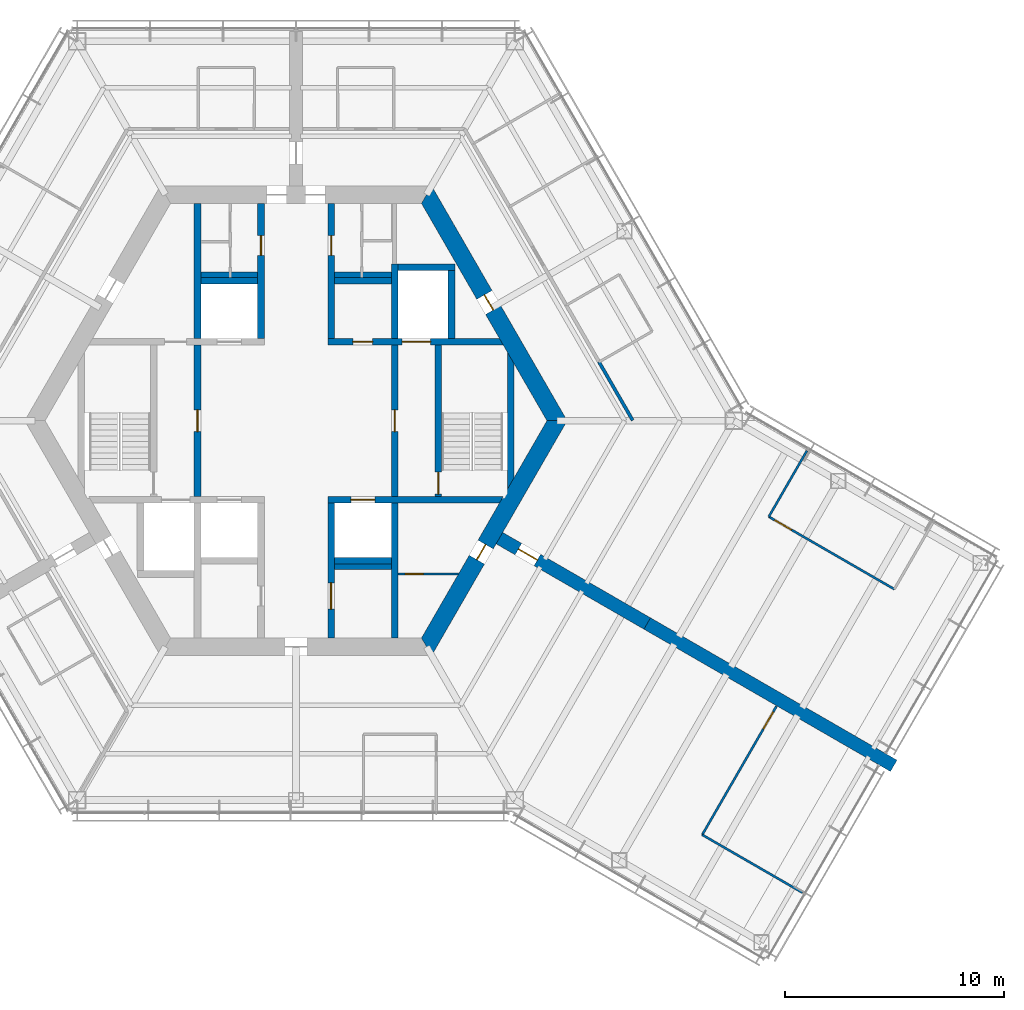
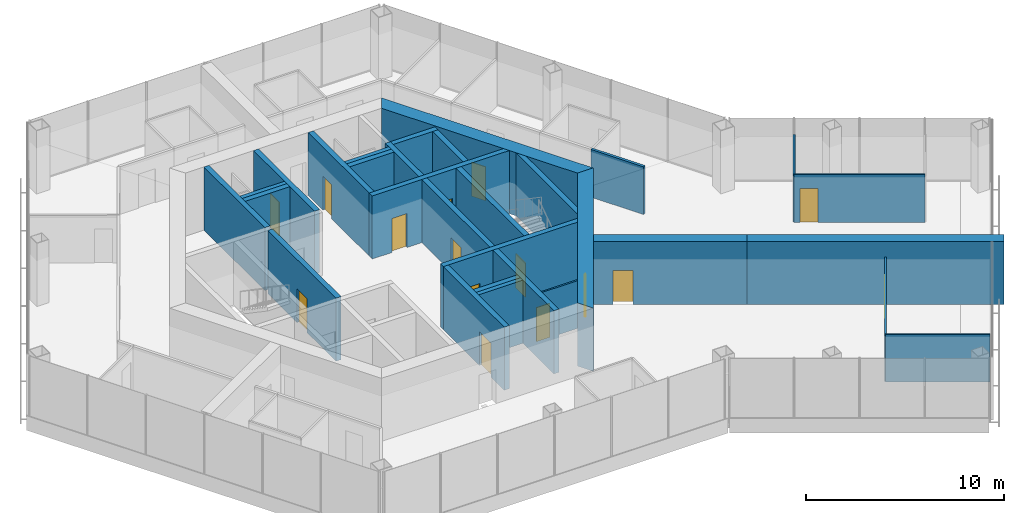
# One storey, part 11 of 15: 30 walls, 15 doors, 15 openings.
"""IFC4 building model written with IfcOpenShell, lengths in metres."""

from ifc_helpers import new_model, si_unit, direction, frame, frame_2d, origin, place, context, subcontext, project, spatial, polyline, rectangle, outline, extrude, material, layer, layer_set, type_object, element, fill, save


model = new_model("IFC4")

# Units and contexts
model_context = context("Model", 3, precision=1e-05, world=origin(), true_north=direction((0.0, 1.0)))
body_context = subcontext(model_context, "Body", "Model", "MODEL_VIEW")
ifc_project = project(units=[si_unit("LENGTHUNIT", "METRE"), si_unit("AREAUNIT", "SQUARE_METRE"), si_unit("VOLUMEUNIT", "CUBIC_METRE"), si_unit("PLANEANGLEUNIT", "RADIAN"), si_unit("MASSUNIT", "GRAM", prefix="KILO")], contexts=[model_context])

# Site, building, storey
site_placement = place(None, origin())
site = spatial("IfcSite", under=ifc_project, at=site_placement, CompositionType="ELEMENT")
building_placement = place(site_placement, origin())
building = spatial("IfcBuilding", under=site, at=building_placement, Name="Kasaneha Research Tower", CompositionType="ELEMENT")
storey_placement = place(building_placement, frame((0.0, 0.0, 236.199951171875)))
storey = spatial("IfcBuildingStorey", under=building, at=storey_placement, Name="L59", CompositionType="ELEMENT", Elevation=236.199951171875)

# Wall, openings, doors
ifc_material_1 = material(Name="Concrete Fc60", Category="concrete")
ifc_layer_1 = layer(ifc_material_1, 0.300048828125)
ifc_layer_set_1 = layer_set([ifc_layer_1], Name="Core internal wall 300 Fc60")
wall_type_1 = type_object("IfcWallType", Name="Core internal wall 300 Fc60", PredefinedType="SHEAR", material=ifc_layer_set_1)
wall_1_placement = place(storey_placement, frame((1.449951171875, 3.60009765625, 0.0), z_axis=(0.0, 0.0, 1.0), x_axis=(1.0, 0.0, 0.0)))
wall_1 = element("IfcWall", 1, at=wall_1_placement, inside=storey, type_object=wall_type_1, Name="Core wall W1E L59", PredefinedType="SHEAR", context=body_context, shape_type="SweptSolid", body=[
    extrude(outline(polyline([(0.0, -0.14990234375), (1.14990234375, -0.14990234375), (2.0498046875, -0.14990234375), (3.39990234375, -0.14990234375), (4.699951171875, -0.14990234375), (8.0185546875, -0.14990234375), (7.84521484375, 0.14990234375), (4.699951171875, 0.14990234375), (3.39990234375, 0.14990234375), (2.0498046875, 0.14990234375), (1.14990234375, 0.14990234375), (0.0, 0.14990234375), (0.0, -0.14990234375)])), origin(), (0.0, 0.0, 1.0), 3.900146484375),
])
opening_1_placement = place(wall_1_placement, frame((1.14990234375, 0.0, 0.0)))
opening_1 = element("IfcOpeningElement", 2, at=opening_1_placement, cuts=wall_1, Name="Opening L59-D17", PredefinedType="OPENING", context=body_context, shape_type="SweptSolid", body=[
    extrude(rectangle(XDim=0.89990234375, YDim=2.10009765625, at=frame_2d((0.449951171875, 1.050048828125))), frame((0.0, 0.16015625, 0.0), z_axis=(0.0, -1.0, 0.0), x_axis=(1.0, 0.0, 0.0)), (0.0, 0.0, 1.0), 0.320068359375),
])
opening_2_placement = place(wall_1_placement, frame((3.39990234375, 0.0, 0.0)))
opening_2 = element("IfcOpeningElement", 3, at=opening_2_placement, cuts=wall_1, Name="Opening LD-FL1-L59", PredefinedType="OPENING", context=body_context, shape_type="SweptSolid", body=[
    extrude(rectangle(XDim=1.300048828125, YDim=2.10009765625, at=frame_2d((0.64990234375, 1.050048828125))), frame((0.0, 0.16015625, 0.0), z_axis=(0.0, -1.0, 0.0), x_axis=(1.0, 0.0, 0.0)), (0.0, 0.0, 1.0), 0.320068359375),
])
ifc_material_2 = material(Name="Steel", Category="steel")
door_type_1 = type_object("IfcDoorType", Name="Lift landing door 1300x2100", OperationType="DOUBLE_DOOR_SLIDING", PredefinedType="DOOR", material=ifc_material_2)
door_1_placement = place(opening_2_placement, origin())
door_1 = element("IfcDoor", 4, at=door_1_placement, inside=storey, type_object=door_type_1, Name="Landing door FL1 LD-FL1-L59", OperationType="DOUBLE_DOOR_SLIDING", OverallHeight=2.10009765625, OverallWidth=1.300048828125, PredefinedType="DOOR", context=body_context, shape_type="SweptSolid", body=[
    extrude(rectangle(XDim=1.300048828125, YDim=2.10009765625, at=frame_2d((0.64990234375, 1.050048828125))), frame((0.0, 0.02490234375, 0.0), z_axis=(0.0, -1.0, 0.0), x_axis=(1.0, 0.0, 0.0)), (0.0, 0.0, 1.0), 0.050048828125),
])
fill(opening_2, door_1)
ifc_material_3 = material(Name="Steel", Category="steel")
door_type_2 = type_object("IfcDoorType", Name="Shaft room door FD60 900x2100", OperationType="NOTDEFINED", PredefinedType="DOOR", material=ifc_material_3)
door_2_placement = place(opening_1_placement, origin())
door_2 = element("IfcDoor", 5, at=door_2_placement, inside=storey, type_object=door_type_2, Name="Housekeeping store door L59-D17", OperationType="SINGLE_SWING_LEFT", OverallHeight=2.10009765625, OverallWidth=0.89990234375, PredefinedType="DOOR", context=body_context, shape_type="SweptSolid", body=[
    extrude(rectangle(XDim=0.89990234375, YDim=2.10009765625, at=frame_2d((0.449951171875, 1.050048828125))), frame((0.0, 0.02490234375, 0.0), z_axis=(0.0, -1.0, 0.0), x_axis=(1.0, 0.0, 0.0)), (0.0, 0.0, 1.0), 0.050048828125),
])
fill(opening_1, door_2)

# Wall, opening, door
wall_2_placement = place(storey_placement, frame((1.449951171875, -3.60009765625, 0.0), z_axis=(0.0, 0.0, 1.0), x_axis=(1.0, 0.0, 0.0)))
wall_2 = element("IfcWall", 6, at=wall_2_placement, inside=storey, type_object=wall_type_1, Name="Core wall W2E L59", PredefinedType="SHEAR", context=body_context, shape_type="SweptSolid", body=[
    extrude(outline(polyline([(0.0, -0.14990234375), (1.050048828125, -0.14990234375), (2.150146484375, -0.14990234375), (7.84521484375, -0.14990234375), (8.0185546875, 0.14990234375), (2.150146484375, 0.14990234375), (1.050048828125, 0.14990234375), (0.0, 0.14990234375), (0.0, -0.14990234375)])), origin(), (0.0, 0.0, 1.0), 3.900146484375),
])
opening_3_placement = place(wall_2_placement, frame((1.050048828125, 0.0, 0.0)))
opening_3 = element("IfcOpeningElement", 7, at=opening_3_placement, cuts=wall_2, Name="Opening LD-LH3-L59", PredefinedType="OPENING", context=body_context, shape_type="SweptSolid", body=[
    extrude(rectangle(XDim=1.10009765625, YDim=2.10009765625, at=frame_2d((0.550048828125, 1.050048828125))), frame((0.0, 0.16015625, 0.0), z_axis=(0.0, -1.0, 0.0), x_axis=(1.0, 0.0, 0.0)), (0.0, 0.0, 1.0), 0.320068359375),
])
ifc_material_4 = material(Name="Steel", Category="steel")
door_type_3 = type_object("IfcDoorType", Name="Lift landing door 1100x2100", OperationType="DOUBLE_DOOR_SLIDING", PredefinedType="DOOR", material=ifc_material_4)
door_3_placement = place(opening_3_placement, origin())
door_3 = element("IfcDoor", 8, at=door_3_placement, inside=storey, type_object=door_type_3, Name="Landing door LH3 LD-LH3-L59", OperationType="DOUBLE_DOOR_SLIDING", OverallHeight=2.10009765625, OverallWidth=1.10009765625, PredefinedType="DOOR", context=body_context, shape_type="SweptSolid", body=[
    extrude(rectangle(XDim=1.10009765625, YDim=2.10009765625, at=frame_2d((0.550048828125, 1.050048828125))), frame((0.0, 0.02490234375, 0.0), z_axis=(0.0, -1.0, 0.0), x_axis=(1.0, 0.0, 0.0)), (0.0, 0.0, 1.0), 0.050048828125),
])
fill(opening_3, door_3)

wall_3_placement = place(storey_placement, frame((-1.60009765625, 3.75, 0.0), z_axis=(0.0, 0.0, 1.0), x_axis=(0.0, 1.0, 0.0)))
wall_3 = element("IfcWall", 9, at=wall_3_placement, inside=storey, type_object=wall_type_1, Name="Core wall CNW L59", PredefinedType="SHEAR", context=body_context, shape_type="SweptSolid", body=[
    extrude(rectangle(XDim=6.175048828125, YDim=0.300048828125, at=frame_2d((3.08740234375, 0.0))), origin(), (0.0, 0.0, 1.0), 3.900146484375),
])
opening_4_placement = place(wall_3_placement, frame((3.800048828125, 0.0, 0.0)))
opening_4 = element("IfcOpeningElement", 10, at=opening_4_placement, cuts=wall_3, Name="Opening L59-D13", PredefinedType="OPENING", context=body_context, shape_type="SweptSolid", body=[
    extrude(rectangle(XDim=0.89990234375, YDim=2.10009765625, at=frame_2d((0.449951171875, 1.050048828125))), frame((0.0, 0.16015625, 0.0), z_axis=(0.0, -1.0, 0.0), x_axis=(1.0, 0.0, 0.0)), (0.0, 0.0, 1.0), 0.320068359375),
])
ifc_material_5 = material(Name="Steel", Category="steel")
door_type_4 = type_object("IfcDoorType", Name="Toilet door FD20 900x2100", OperationType="NOTDEFINED", PredefinedType="DOOR", material=ifc_material_5)
door_4_placement = place(opening_4_placement, origin())
door_4 = element("IfcDoor", 11, at=door_4_placement, inside=storey, type_object=door_type_4, Name="Men's WC door L59-D13", OperationType="SINGLE_SWING_LEFT", OverallHeight=2.10009765625, OverallWidth=0.89990234375, PredefinedType="DOOR", context=body_context, shape_type="SweptSolid", body=[
    extrude(rectangle(XDim=0.89990234375, YDim=2.10009765625, at=frame_2d((0.449951171875, 1.050048828125))), frame((0.0, 0.02490234375, 0.0), z_axis=(0.0, -1.0, 0.0), x_axis=(1.0, 0.0, 0.0)), (0.0, 0.0, 1.0), 0.050048828125),
])
fill(opening_4, door_4)

wall_4_placement = place(storey_placement, frame((1.60009765625, 3.75, 0.0), z_axis=(0.0, 0.0, 1.0), x_axis=(0.0, 1.0, 0.0)))
wall_4 = element("IfcWall", 12, at=wall_4_placement, inside=storey, type_object=wall_type_1, Name="Core wall CNE L59", PredefinedType="SHEAR", context=body_context, shape_type="SweptSolid", body=[
    extrude(rectangle(XDim=6.175048828125, YDim=0.300048828125, at=frame_2d((3.08740234375, 0.0))), origin(), (0.0, 0.0, 1.0), 3.900146484375),
])
opening_5_placement = place(wall_4_placement, frame((3.800048828125, 0.0, 0.0)))
opening_5 = element("IfcOpeningElement", 13, at=opening_5_placement, cuts=wall_4, Name="Opening L59-D14", PredefinedType="OPENING", context=body_context, shape_type="SweptSolid", body=[
    extrude(rectangle(XDim=0.89990234375, YDim=2.10009765625, at=frame_2d((0.449951171875, 1.050048828125))), frame((0.0, 0.16015625, 0.0), z_axis=(0.0, -1.0, 0.0), x_axis=(1.0, 0.0, 0.0)), (0.0, 0.0, 1.0), 0.320068359375),
])
door_5_placement = place(opening_5_placement, origin())
door_5 = element("IfcDoor", 14, at=door_5_placement, inside=storey, type_object=door_type_4, Name="Women's WC door L59-D14", OperationType="SINGLE_SWING_LEFT", OverallHeight=2.10009765625, OverallWidth=0.89990234375, PredefinedType="DOOR", context=body_context, shape_type="SweptSolid", body=[
    extrude(rectangle(XDim=0.89990234375, YDim=2.10009765625, at=frame_2d((0.449951171875, 1.050048828125))), frame((0.0, 0.02490234375, 0.0), z_axis=(0.0, -1.0, 0.0), x_axis=(1.0, 0.0, 0.0)), (0.0, 0.0, 1.0), 0.050048828125),
])
fill(opening_5, door_5)

wall_5_placement = place(storey_placement, frame((1.60009765625, -3.75, 0.0), z_axis=(0.0, 0.0, 1.0), x_axis=(0.0, -1.0, 0.0)))
wall_5 = element("IfcWall", 15, at=wall_5_placement, inside=storey, type_object=wall_type_1, Name="Core wall CSE L59", PredefinedType="SHEAR", context=body_context, shape_type="SweptSolid", body=[
    extrude(rectangle(XDim=6.175048828125, YDim=0.300048828125, at=frame_2d((3.08740234375, 0.0))), origin(), (0.0, 0.0, 1.0), 3.900146484375),
])
opening_6_placement = place(wall_5_placement, frame((3.64990234375, 0.0, 0.0)))
opening_6 = element("IfcOpeningElement", 16, at=opening_6_placement, cuts=wall_5, Name="Opening L59-D15", PredefinedType="OPENING", context=body_context, shape_type="SweptSolid", body=[
    extrude(rectangle(XDim=1.199951171875, YDim=2.10009765625, at=frame_2d((0.60009765625, 1.050048828125))), frame((0.0, 0.16015625, 0.0), z_axis=(0.0, -1.0, 0.0), x_axis=(1.0, 0.0, 0.0)), (0.0, 0.0, 1.0), 0.320068359375),
])
ifc_material_6 = material(Name="Steel", Category="steel")
door_type_5 = type_object("IfcDoorType", Name="Accessible toilet sliding door FD20 1200x2100", OperationType="SLIDING_TO_LEFT", PredefinedType="DOOR", material=ifc_material_6)
door_6_placement = place(opening_6_placement, origin())
door_6 = element("IfcDoor", 17, at=door_6_placement, inside=storey, type_object=door_type_5, Name="Accessible WC door L59-D15", OperationType="SLIDING_TO_LEFT", OverallHeight=2.10009765625, OverallWidth=1.199951171875, PredefinedType="DOOR", context=body_context, shape_type="SweptSolid", body=[
    extrude(rectangle(XDim=1.199951171875, YDim=2.10009765625, at=frame_2d((0.60009765625, 1.050048828125))), frame((0.0, 0.02490234375, 0.0), z_axis=(0.0, -1.0, 0.0), x_axis=(1.0, 0.0, 0.0)), (0.0, 0.0, 1.0), 0.050048828125),
])
fill(opening_6, door_6)

wall_6_placement = place(storey_placement, frame((-4.5, -3.449951171875, 0.0), z_axis=(0.0, 0.0, 1.0), x_axis=(0.0, 1.0, 0.0)))
wall_6 = element("IfcWall", 18, at=wall_6_placement, inside=storey, type_object=wall_type_1, Name="Core wall LBW L59", PredefinedType="SHEAR", context=body_context, shape_type="SweptSolid", body=[
    extrude(rectangle(XDim=6.89990234375, YDim=0.300048828125, at=frame_2d((3.449951171875, 0.0))), origin(), (0.0, 0.0, 1.0), 3.900146484375),
])
opening_7_placement = place(wall_6_placement, frame((2.949951171875, 0.0, 0.0)))
opening_7 = element("IfcOpeningElement", 19, at=opening_7_placement, cuts=wall_6, Name="Opening L59-D09", PredefinedType="OPENING", context=body_context, shape_type="SweptSolid", body=[
    extrude(rectangle(XDim=1.0, YDim=2.10009765625, at=frame_2d((0.5, 1.050048828125))), frame((0.0, 0.16015625, 0.0), z_axis=(0.0, -1.0, 0.0), x_axis=(1.0, 0.0, 0.0)), (0.0, 0.0, 1.0), 0.320068359375),
])
ifc_material_7 = material(Name="Steel", Category="steel")
door_type_6 = type_object("IfcDoorType", Name="Specified fire door FD60 1000x2100", OperationType="NOTDEFINED", PredefinedType="DOOR", material=ifc_material_7)
door_7_placement = place(opening_7_placement, origin())
door_7 = element("IfcDoor", 20, at=door_7_placement, inside=storey, type_object=door_type_6, Name="Lift lobby door west L59-D09", OperationType="SINGLE_SWING_LEFT", OverallHeight=2.10009765625, OverallWidth=1.0, PredefinedType="DOOR", context=body_context, shape_type="SweptSolid", body=[
    extrude(rectangle(XDim=1.0, YDim=2.10009765625, at=frame_2d((0.5, 1.050048828125))), frame((0.0, 0.02490234375, 0.0), z_axis=(0.0, -1.0, 0.0), x_axis=(1.0, 0.0, 0.0)), (0.0, 0.0, 1.0), 0.050048828125),
])
fill(opening_7, door_7)

wall_7_placement = place(storey_placement, frame((4.5, -3.449951171875, 0.0), z_axis=(0.0, 0.0, 1.0), x_axis=(0.0, 1.0, 0.0)))
wall_7 = element("IfcWall", 21, at=wall_7_placement, inside=storey, type_object=wall_type_1, Name="Core wall LBE L59", PredefinedType="SHEAR", context=body_context, shape_type="SweptSolid", body=[
    extrude(rectangle(XDim=6.89990234375, YDim=0.300048828125, at=frame_2d((3.449951171875, 0.0))), origin(), (0.0, 0.0, 1.0), 3.900146484375),
])
opening_8_placement = place(wall_7_placement, frame((2.949951171875, 0.0, 0.0)))
opening_8 = element("IfcOpeningElement", 22, at=opening_8_placement, cuts=wall_7, Name="Opening L59-D08", PredefinedType="OPENING", context=body_context, shape_type="SweptSolid", body=[
    extrude(rectangle(XDim=1.0, YDim=2.10009765625, at=frame_2d((0.5, 1.050048828125))), frame((0.0, 0.16015625, 0.0), z_axis=(0.0, -1.0, 0.0), x_axis=(1.0, 0.0, 0.0)), (0.0, 0.0, 1.0), 0.320068359375),
])
door_8_placement = place(opening_8_placement, origin())
door_8 = element("IfcDoor", 23, at=door_8_placement, inside=storey, type_object=door_type_6, Name="Lift lobby door east L59-D08", OperationType="SINGLE_SWING_LEFT", OverallHeight=2.10009765625, OverallWidth=1.0, PredefinedType="DOOR", context=body_context, shape_type="SweptSolid", body=[
    extrude(rectangle(XDim=1.0, YDim=2.10009765625, at=frame_2d((0.5, 1.050048828125))), frame((0.0, 0.02490234375, 0.0), z_axis=(0.0, -1.0, 0.0), x_axis=(1.0, 0.0, 0.0)), (0.0, 0.0, 1.0), 0.050048828125),
])
fill(opening_8, door_8)

wall_8_placement = place(storey_placement, frame((6.5, -3.449951171875, 0.0), z_axis=(0.0, 0.0, 1.0), x_axis=(0.0, 1.0, 0.0)))
wall_8 = element("IfcWall", 24, at=wall_8_placement, inside=storey, type_object=wall_type_1, Name="Core wall ANE L59", PredefinedType="SHEAR", context=body_context, shape_type="SweptSolid", body=[
    extrude(rectangle(XDim=6.89990234375, YDim=0.300048828125, at=frame_2d((3.449951171875, 0.0))), origin(), (0.0, 0.0, 1.0), 3.900146484375),
])
opening_9_placement = place(wall_8_placement, frame((0.10009765625, 0.0, 0.0)))
opening_9 = element("IfcOpeningElement", 25, at=opening_9_placement, cuts=wall_8, Name="Opening L59-D10", PredefinedType="OPENING", context=body_context, shape_type="SweptSolid", body=[
    extrude(rectangle(XDim=1.0, YDim=2.10009765625, at=frame_2d((0.5, 1.050048828125))), frame((0.0, 0.16015625, 0.0), z_axis=(0.0, -1.0, 0.0), x_axis=(1.0, 0.0, 0.0)), (0.0, 0.0, 1.0), 0.320068359375),
])
door_9_placement = place(opening_9_placement, origin())
door_9 = element("IfcDoor", 26, at=door_9_placement, inside=storey, type_object=door_type_6, Name="Stair 1 door L59-D10", OperationType="SINGLE_SWING_LEFT", OverallHeight=2.10009765625, OverallWidth=1.0, PredefinedType="DOOR", context=body_context, shape_type="SweptSolid", body=[
    extrude(rectangle(XDim=1.0, YDim=2.10009765625, at=frame_2d((0.5, 1.050048828125))), frame((0.0, 0.02490234375, 0.0), z_axis=(0.0, -1.0, 0.0), x_axis=(1.0, 0.0, 0.0)), (0.0, 0.0, 1.0), 0.050048828125),
])
fill(opening_9, door_9)

# Walls
wall_9_placement = place(storey_placement, frame((-4.5, 3.75, 0.0), z_axis=(0.0, 0.0, 1.0), x_axis=(0.0, 1.0, 0.0)))
element("IfcWall", 27, at=wall_9_placement, inside=storey, type_object=wall_type_1, Name="Core wall VNW L59", PredefinedType="SHEAR", context=body_context, shape_type="SweptSolid", body=[
    extrude(rectangle(XDim=6.175048828125, YDim=0.300048828125, at=frame_2d((3.08740234375, 0.0))), origin(), (0.0, 0.0, 1.0), 3.900146484375),
])
wall_10_placement = place(storey_placement, frame((4.5, 3.75, 0.0), z_axis=(0.0, 0.0, 1.0), x_axis=(0.0, 1.0, 0.0)))
element("IfcWall", 28, at=wall_10_placement, inside=storey, type_object=wall_type_1, Name="Core wall FNE L59", PredefinedType="SHEAR", context=body_context, shape_type="SweptSolid", body=[
    extrude(rectangle(XDim=3.39990234375, YDim=0.300048828125, at=frame_2d((1.699951171875, 0.0))), origin(), (0.0, 0.0, 1.0), 3.900146484375),
])
wall_11_placement = place(storey_placement, frame((4.5, -3.75, 0.0), z_axis=(0.0, 0.0, 1.0), x_axis=(0.0, -1.0, 0.0)))
element("IfcWall", 29, at=wall_11_placement, inside=storey, type_object=wall_type_1, Name="Core wall SSE L59", PredefinedType="SHEAR", context=body_context, shape_type="SweptSolid", body=[
    extrude(rectangle(XDim=6.175048828125, YDim=0.300048828125, at=frame_2d((3.08740234375, 0.0))), origin(), (0.0, 0.0, 1.0), 3.900146484375),
])
for number, where, z_axis, x_axis, name in (
    (30, (-4.35009765625, 6.39990234375, 0.0), (0.0, 0.0, 1.0), (1.0, 0.0, 0.0), "Core wall N1N L59"),
    (31, (1.75, 6.39990234375, 0.0), (0.0, 0.0, 1.0), (1.0, 0.0, 0.0), "Core wall N3N L59"),
    (32, (1.75, -6.39990234375, 0.0), (0.0, 0.0, 1.0), (1.0, 0.0, 0.0), "Core wall S3S L59"),
    (33, (4.64990234375, 7.0, 0.0), (0.0, 0.0, 1.0), (1.0, 0.0, 0.0), "Core wall F1N L59"),
):
    element("IfcWall", number, at=place(storey_placement, frame(where, z_axis=z_axis, x_axis=x_axis)), inside=storey, type_object=wall_type_1, Name=name, PredefinedType="SHEAR", context=body_context, shape_type="SweptSolid", body=[
        extrude(rectangle(XDim=2.60009765625, YDim=0.300048828125, at=frame_2d((1.300048828125, 0.0))), origin(), (0.0, 0.0, 1.0), 3.900146484375),
    ])
wall_12_placement = place(storey_placement, frame((7.10009765625, 3.75, 0.0), z_axis=(0.0, 0.0, 1.0), x_axis=(0.0, 1.0, 0.0)))
element("IfcWall", 34, at=wall_12_placement, inside=storey, type_object=wall_type_1, Name="Core wall F1E L59", PredefinedType="SHEAR", context=body_context, shape_type="SweptSolid", body=[
    extrude(rectangle(XDim=3.10009765625, YDim=0.300048828125, at=frame_2d((1.550048828125, 0.0))), origin(), (0.0, 0.0, 1.0), 3.900146484375),
])
wall_13_placement = place(storey_placement, frame((9.807861328125, -2.8623046875, 0.0), z_axis=(0.0, 0.0, 1.0), x_axis=(0.0, 1.0, 0.0)))
element("IfcWall", 35, at=wall_13_placement, inside=storey, type_object=wall_type_1, Name="Core wall STE L59", PredefinedType="SHEAR", context=body_context, shape_type="SweptSolid", body=[
    extrude(outline(polyline([(0.259765625, -0.14990234375), (5.46484375, -0.14990234375), (5.984375, 0.14990234375), (-0.259765625, 0.14990234375), (0.259765625, -0.14990234375)])), origin(), (0.0, 0.0, 1.0), 3.900146484375),
])

# Wall, opening, door
ifc_material_8 = material(Name="Concrete Fc60", Category="concrete")
ifc_layer_2 = layer(ifc_material_8, 0.800048828125)
ifc_layer_set_2 = layer_set([ifc_layer_2], Name="Core wall 800 Fc60")
wall_type_2 = type_object("IfcWallType", Name="Core wall 800 Fc60", PredefinedType="SHEAR", material=ifc_layer_set_2)
wall_14_placement = place(storey_placement, frame((11.92236328125, 0.0, 0.0), z_axis=(0.0, 0.0, 1.0), x_axis=(-0.500004296715, 0.866022923061, 0.0)))
wall_14 = element("IfcWall", 36, at=wall_14_placement, inside=storey, type_object=wall_type_2, Name="Core wall 030 L59", PredefinedType="SHEAR", context=body_context, shape_type="SweptSolid", body=[
    extrude(outline(polyline([(-0.23095703125, -0.39990234375), (5.83544921875, -0.39990234375), (6.635498046875, -0.39990234375), (12.1533203125, -0.39990234375), (11.69140625, 0.39990234375), (6.635498046875, 0.39990234375), (5.83544921875, 0.39990234375), (0.23095703125, 0.39990234375), (-0.23095703125, -0.39990234375)])), origin(), (0.0, 0.0, 1.0), 3.900146484375),
])
opening_10_placement = place(wall_14_placement, frame((5.83544921875, 0.0, 0.0)))
opening_10 = element("IfcOpeningElement", 37, at=opening_10_placement, cuts=wall_14, Name="Opening L59-D04", PredefinedType="OPENING", context=body_context, shape_type="SweptSolid", body=[
    extrude(rectangle(XDim=0.800048828125, YDim=2.10009765625, at=frame_2d((0.39990234375, 1.050048828125))), frame((0.0, 0.41015625, 0.0), z_axis=(0.0, -1.0, 0.0), x_axis=(1.0, 0.0, 0.0)), (0.0, 0.0, 1.0), 0.820068359375),
])
ifc_material_9 = material(Name="Steel", Category="steel")
door_type_7 = type_object("IfcDoorType", Name="Riser access door FD60 800x2100", OperationType="NOTDEFINED", PredefinedType="DOOR", material=ifc_material_9)
door_10_placement = place(opening_10_placement, origin())
door_10 = element("IfcDoor", 38, at=door_10_placement, inside=storey, type_object=door_type_7, Name="Pipe riser door L59-D04", OperationType="SINGLE_SWING_RIGHT", OverallHeight=2.10009765625, OverallWidth=0.800048828125, PredefinedType="DOOR", context=body_context, shape_type="SweptSolid", body=[
    extrude(rectangle(XDim=0.800048828125, YDim=2.10009765625, at=frame_2d((0.39990234375, 1.050048828125))), frame((0.0, 0.02490234375, 0.0), z_axis=(0.0, -1.0, 0.0), x_axis=(1.0, 0.0, 0.0)), (0.0, 0.0, 1.0), 0.050048828125),
])
fill(opening_10, door_10)

wall_15_placement = place(storey_placement, frame((5.961181640625, -10.324951171875, 0.0), z_axis=(0.0, 0.0, 1.0), x_axis=(0.500004296715, 0.866022923061, 0.0)))
wall_15 = element("IfcWall", 39, at=wall_15_placement, inside=storey, type_object=wall_type_2, Name="Core wall 330 L59", PredefinedType="SHEAR", context=body_context, shape_type="SweptSolid", body=[
    extrude(outline(polyline([(-0.23095703125, -0.39990234375), (4.593994140625, -0.39990234375), (5.39404296875, -0.39990234375), (12.1533203125, -0.39990234375), (11.69140625, 0.39990234375), (5.39404296875, 0.39990234375), (4.593994140625, 0.39990234375), (0.23095703125, 0.39990234375), (-0.23095703125, -0.39990234375)])), origin(), (0.0, 0.0, 1.0), 3.900146484375),
])
opening_11_placement = place(wall_15_placement, frame((4.593994140625, 0.0, 0.0)))
opening_11 = element("IfcOpeningElement", 40, at=opening_11_placement, cuts=wall_15, Name="Opening L59-D05", PredefinedType="OPENING", context=body_context, shape_type="SweptSolid", body=[
    extrude(rectangle(XDim=0.800048828125, YDim=2.10009765625, at=frame_2d((0.39990234375, 1.050048828125))), frame((0.0, 0.41015625, 0.0), z_axis=(0.0, -1.0, 0.0), x_axis=(1.0, 0.0, 0.0)), (0.0, 0.0, 1.0), 0.820068359375),
])
door_11_placement = place(opening_11_placement, origin())
door_11 = element("IfcDoor", 41, at=door_11_placement, inside=storey, type_object=door_type_7, Name="Pipe riser door L59-D05", OperationType="SINGLE_SWING_LEFT", OverallHeight=2.10009765625, OverallWidth=0.800048828125, PredefinedType="DOOR", context=body_context, shape_type="SweptSolid", body=[
    extrude(rectangle(XDim=0.800048828125, YDim=2.10009765625, at=frame_2d((0.39990234375, 1.050048828125))), frame((0.0, 0.02490234375, 0.0), z_axis=(0.0, -1.0, 0.0), x_axis=(1.0, 0.0, 0.0)), (0.0, 0.0, 1.0), 0.050048828125),
])
fill(opening_11, door_11)

ifc_material_10 = material(Name="Gypsum board on steel studs, one layer each side", Category="steel")
ifc_layer_3 = layer(ifc_material_10, 0.10009765625)
ifc_layer_set_3 = layer_set([ifc_layer_3], Name="Office partition 100")
wall_type_3 = type_object("IfcWallType", Name="Office partition 100", PredefinedType="PARTITIONING", material=ifc_layer_set_3)
wall_16_placement = place(storey_placement, frame((4.64990234375, -7.0, 0.0), z_axis=(0.0, 0.0, 1.0), x_axis=(1.0, 0.0, 0.0)))
wall_16 = element("IfcWall", 42, at=wall_16_placement, inside=storey, type_object=wall_type_3, Name="Office partition RS-SE L59", PredefinedType="PARTITIONING", context=body_context, shape_type="SweptSolid", body=[
    extrude(outline(polyline([(0.0, -0.050048828125), (0.35009765625, -0.050048828125), (1.150146484375, -0.050048828125), (2.740234375, -0.050048828125), (2.76904296875, 0.0), (2.77490234375, 0.050048828125), (1.150146484375, 0.050048828125), (0.35009765625, 0.050048828125), (0.0, 0.050048828125), (0.0, -0.050048828125)])), origin(), (0.0, 0.0, 1.0), 2.949951171875),
])
opening_12_placement = place(wall_16_placement, frame((0.35009765625, 0.0, 0.0)))
opening_12 = element("IfcOpeningElement", 43, at=opening_12_placement, cuts=wall_16, Name="Opening L59-D25", PredefinedType="OPENING", context=body_context, shape_type="SweptSolid", body=[
    extrude(rectangle(XDim=0.800048828125, YDim=2.10009765625, at=frame_2d((0.39990234375, 1.050048828125))), frame((0.0, 0.06005859375, 0.0), z_axis=(0.0, -1.0, 0.0), x_axis=(1.0, 0.0, 0.0)), (0.0, 0.0, 1.0), 0.1201171875),
])
door_12_placement = place(opening_12_placement, origin())
door_12 = element("IfcDoor", 44, at=door_12_placement, inside=storey, type_object=door_type_7, Name="Drainage riser door L59-D25", OperationType="SINGLE_SWING_LEFT", OverallHeight=2.10009765625, OverallWidth=0.800048828125, PredefinedType="DOOR", context=body_context, shape_type="SweptSolid", body=[
    extrude(rectangle(XDim=0.800048828125, YDim=2.10009765625, at=frame_2d((0.39990234375, 1.050048828125))), frame((0.0, 0.02490234375, 0.0), z_axis=(0.0, -1.0, 0.0), x_axis=(1.0, 0.0, 0.0)), (0.0, 0.0, 1.0), 0.050048828125),
])
fill(opening_12, door_12)

# Wall
wall_17_placement = place(storey_placement, frame((21.59228515625, -4.38330078125, 0.0), z_axis=(0.0, 0.0, 1.0), x_axis=(0.500009906705, 0.86601968407, 0.0)))
element("IfcWall", 45, at=wall_17_placement, inside=storey, type_object=wall_type_3, Name="Office partition FCE01 L59", PredefinedType="PARTITIONING", context=body_context, shape_type="SweptSolid", body=[
    extrude(rectangle(XDim=3.47998046875, YDim=0.10009765625, at=frame_2d((1.739990234375, 0.0))), origin(), (0.0, 0.0, 1.0), 2.949951171875),
])

# Wall, opening, door
wall_18_placement = place(storey_placement, frame((27.324951171875, -7.693115234375, 0.0), z_axis=(0.0, 0.0, 1.0), x_axis=(-0.866021597574, 0.500006592492, 0.0)))
wall_18 = element("IfcWall", 46, at=wall_18_placement, inside=storey, type_object=wall_type_3, Name="Office partition FCE02 L59", PredefinedType="PARTITIONING", context=body_context, shape_type="SweptSolid", body=[
    extrude(rectangle(XDim=6.61962890625, YDim=0.10009765625, at=frame_2d((3.309814453125, 0.0))), origin(), (0.0, 0.0, 1.0), 2.949951171875),
])
opening_13_placement = place(wall_18_placement, frame((5.419677734375, 0.0, 0.0)))
opening_13 = element("IfcOpeningElement", 47, at=opening_13_placement, cuts=wall_18, Name="Opening L59-D38", PredefinedType="OPENING", context=body_context, shape_type="SweptSolid", body=[
    extrude(rectangle(XDim=0.89990234375, YDim=2.10009765625, at=frame_2d((0.449951171875, 1.050048828125))), frame((0.0, 0.06005859375, 0.0), z_axis=(0.0, -1.0, 0.0), x_axis=(1.0, 0.0, 0.0)), (0.0, 0.0, 1.0), 0.1201171875),
])
ifc_material_11 = material(Name="Timber veneer", Category="wood")
door_type_8 = type_object("IfcDoorType", Name="Office door 900x2100", OperationType="SINGLE_SWING_LEFT", PredefinedType="DOOR", material=ifc_material_11)
door_13_placement = place(opening_13_placement, origin())
door_13 = element("IfcDoor", 48, at=door_13_placement, inside=storey, type_object=door_type_8, Name="Meeting room door L59-D38", OperationType="SINGLE_SWING_RIGHT", OverallHeight=2.10009765625, OverallWidth=0.89990234375, PredefinedType="DOOR", context=body_context, shape_type="SweptSolid", body=[
    extrude(rectangle(XDim=0.89990234375, YDim=2.10009765625, at=frame_2d((0.449951171875, 1.050048828125))), frame((0.0, 0.02490234375, 0.0), z_axis=(0.0, -1.0, 0.0), x_axis=(1.0, 0.0, 0.0)), (0.0, 0.0, 1.0), 0.050048828125),
])
fill(opening_13, door_13)

wall_19_placement = place(storey_placement, frame((18.551513671875, -18.908935546875, 0.0), z_axis=(0.0, 0.0, 1.0), x_axis=(0.499992600721, 0.866029675718, 0.0)))
wall_19 = element("IfcWall", 49, at=wall_19_placement, inside=storey, type_object=wall_type_3, Name="Office partition FCS01 L59", PredefinedType="PARTITIONING", context=body_context, shape_type="SweptSolid", body=[
    extrude(rectangle(XDim=6.77978515625, YDim=0.10009765625, at=frame_2d((3.389892578125, 0.0))), origin(), (0.0, 0.0, 1.0), 2.949951171875),
])
opening_14_placement = place(wall_19_placement, frame((5.580078125, 0.0, 0.0)))
opening_14 = element("IfcOpeningElement", 50, at=opening_14_placement, cuts=wall_19, Name="Opening L59-D39", PredefinedType="OPENING", context=body_context, shape_type="SweptSolid", body=[
    extrude(rectangle(XDim=0.89990234375, YDim=2.10009765625, at=frame_2d((0.449951171875, 1.050048828125))), frame((0.0, 0.06005859375, 0.0), z_axis=(0.0, -1.0, 0.0), x_axis=(1.0, 0.0, 0.0)), (0.0, 0.0, 1.0), 0.1201171875),
])
door_14_placement = place(opening_14_placement, origin())
door_14 = element("IfcDoor", 51, at=door_14_placement, inside=storey, type_object=door_type_8, Name="Board meeting room door L59-D39", OperationType="SINGLE_SWING_RIGHT", OverallHeight=2.10009765625, OverallWidth=0.89990234375, PredefinedType="DOOR", context=body_context, shape_type="SweptSolid", body=[
    extrude(rectangle(XDim=0.89990234375, YDim=2.10009765625, at=frame_2d((0.449951171875, 1.050048828125))), frame((0.0, 0.02490234375, 0.0), z_axis=(0.0, -1.0, 0.0), x_axis=(1.0, 0.0, 0.0)), (0.0, 0.0, 1.0), 0.050048828125),
])
fill(opening_14, door_14)

# Wall
wall_20_placement = place(storey_placement, frame((23.1240234375, -21.549072265625, 0.0), z_axis=(0.0, 0.0, 1.0), x_axis=(-0.866009249374, 0.500027979216, 0.0)))
element("IfcWall", 52, at=wall_20_placement, inside=storey, type_object=wall_type_3, Name="Office partition FCS02 L59", PredefinedType="PARTITIONING", context=body_context, shape_type="SweptSolid", body=[
    extrude(rectangle(XDim=5.280029296875, YDim=0.10009765625, at=frame_2d((2.64013671875, 0.0))), origin(), (0.0, 0.0, 1.0), 2.949951171875),
])

# Wall, opening, door
ifc_material_12 = material(Name="Concrete Fc60", Category="concrete")
ifc_layer_4 = layer(ifc_material_12, 0.60009765625)
ifc_layer_set_4 = layer_set([ifc_layer_4], Name="Spine wall 600 Fc60")
wall_type_4 = type_object("IfcWallType", Name="Spine wall 600 Fc60", PredefinedType="SHEAR", material=ifc_layer_set_4)
wall_21_placement = place(storey_placement, frame((9.2880859375, -5.362548828125, 0.0), z_axis=(0.0, 0.0, 1.0), x_axis=(0.866031736626, -0.499989031036, 0.0)))
wall_21 = element("IfcWall", 53, at=wall_21_placement, inside=storey, type_object=wall_type_4, Name="Spine wall C L59", PredefinedType="SHEAR", context=body_context, shape_type="SweptSolid", body=[
    extrude(rectangle(XDim=7.795654296875, YDim=0.60009765625, at=frame_2d((3.89794921875, 0.0))), origin(), (0.0, 0.0, 1.0), 3.900146484375),
])
opening_15_placement = place(wall_21_placement, frame((1.0, 0.0, 0.0)))
opening_15 = element("IfcOpeningElement", 54, at=opening_15_placement, cuts=wall_21, Name="Opening L59-D20", PredefinedType="OPENING", context=body_context, shape_type="SweptSolid", body=[
    extrude(rectangle(XDim=1.0, YDim=2.10009765625, at=frame_2d((0.5, 1.050048828125))), frame((0.0, 0.31005859375, 0.0), z_axis=(0.0, -1.0, 0.0), x_axis=(1.0, 0.0, 0.0)), (0.0, 0.0, 1.0), 0.6201171875),
])
door_15_placement = place(opening_15_placement, origin())
door_15 = element("IfcDoor", 55, at=door_15_placement, inside=storey, type_object=door_type_6, Name="Spine doorway C L59-D20", OperationType="SINGLE_SWING_LEFT", OverallHeight=2.10009765625, OverallWidth=1.0, PredefinedType="DOOR", context=body_context, shape_type="SweptSolid", body=[
    extrude(rectangle(XDim=1.0, YDim=2.10009765625, at=frame_2d((0.5, 1.050048828125))), frame((0.0, 0.02490234375, 0.0), z_axis=(0.0, -1.0, 0.0), x_axis=(1.0, 0.0, 0.0)), (0.0, 0.0, 1.0), 0.050048828125),
])
fill(opening_15, door_15)

# Walls
wall_22_placement = place(storey_placement, frame((16.039306640625, -9.26025390625, 0.0), z_axis=(0.0, 0.0, 1.0), x_axis=(0.866024837091, -0.50000098154, 0.0)))
element("IfcWall", 56, at=wall_22_placement, inside=storey, type_object=wall_type_4, Name="Spine wall C wing L59", PredefinedType="SHEAR", context=body_context, shape_type="SweptSolid", body=[
    extrude(rectangle(XDim=13.0, YDim=0.60009765625, at=frame_2d((6.5, 0.0))), origin(), (0.0, 0.0, 1.0), 3.900146484375),
])
ifc_material_13 = material(Name="Gypsum board on steel studs, two layers each side", Category="steel")
ifc_layer_5 = layer(ifc_material_13, 0.14990234375)
ifc_layer_set_5 = layer_set([ifc_layer_5], Name="Suite partition 150")
wall_type_5 = type_object("IfcWallType", Name="Suite partition 150", PredefinedType="PARTITIONING", material=ifc_layer_set_5)
wall_23_placement = place(storey_placement, frame((13.837646484375, 2.6826171875, 0.0), z_axis=(0.0, 0.0, 1.0), x_axis=(0.499965335005, -0.866045416704, 0.0)))
element("IfcWall", 57, at=wall_23_placement, inside=storey, type_object=wall_type_5, Name="Suite partition FAE05 L59", PredefinedType="PARTITIONING", context=body_context, shape_type="SweptSolid", body=[
    extrude(rectangle(XDim=3.074462890625, YDim=0.14990234375, at=frame_2d((1.537109375, 0.0))), origin(), (0.0, 0.0, 1.0), 2.949951171875),
])
ifc_material_14 = material(Name="Concrete block lining", Category="concrete")
ifc_layer_6 = layer(ifc_material_14, 0.25)
ifc_layer_set_6 = layer_set([ifc_layer_6], Name="WC plumbing wall 250")
wall_type_6 = type_object("IfcWallType", Name="WC plumbing wall 250", PredefinedType="PLUMBINGWALL", material=ifc_layer_set_6)
for number, where, z_axis, x_axis, name in (
    (58, (-4.35009765625, 6.675048828125, 0.0), (0.0, 0.0, 1.0), (1.0, 0.0, 0.0), "WC plumbing wall M L59"),
    (59, (1.75, 6.675048828125, 0.0), (0.0, 0.0, 1.0), (1.0, 0.0, 0.0), "WC plumbing wall F L59"),
    (60, (1.75, -6.675048828125, 0.0), (0.0, 0.0, 1.0), (1.0, 0.0, 0.0), "WC plumbing wall A L59"),
):
    element("IfcWall", number, at=place(storey_placement, frame(where, z_axis=z_axis, x_axis=x_axis)), inside=storey, type_object=wall_type_6, Name=name, PredefinedType="PLUMBINGWALL", context=body_context, shape_type="SweptSolid", body=[
        extrude(rectangle(XDim=2.60009765625, YDim=0.25, at=frame_2d((1.300048828125, 0.0))), origin(), (0.0, 0.0, 1.0), 3.900146484375),
    ])

save(model, "model.ifc")
